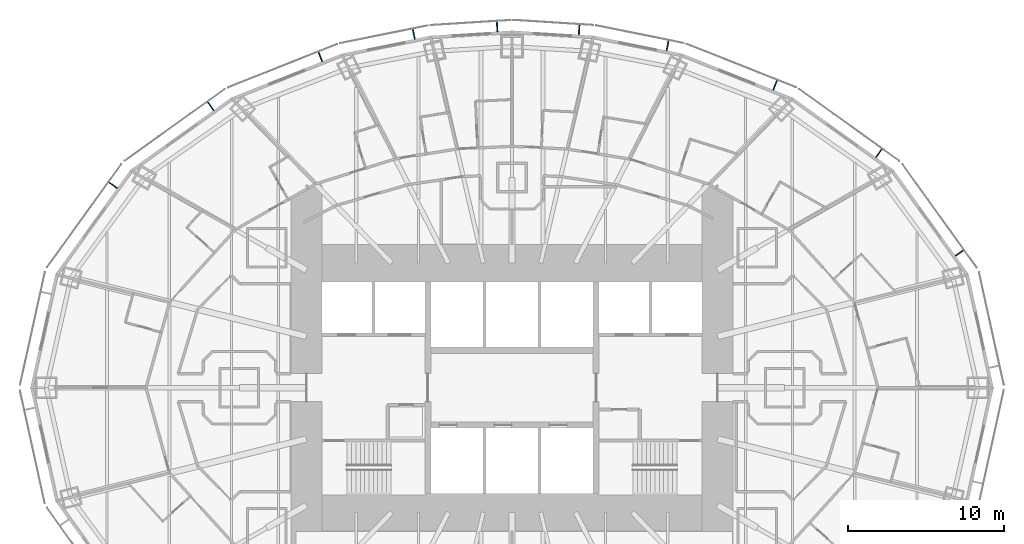
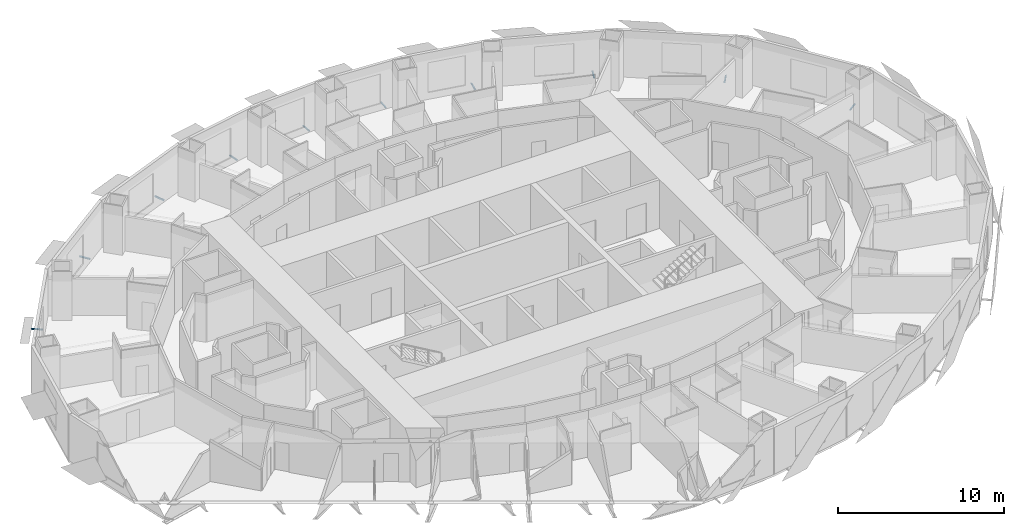
# One storey, part 13 of 17: 10 discrete accessories.
"""IFC4 building model written with IfcOpenShell, lengths in metres."""

from ifc_helpers import new_model, si_unit, direction, frame, origin, origin_2d, place, context, subcontext, project, spatial, rectangle, extrude, element, save


model = new_model("IFC4")

# Units and contexts
model_context = context("Model", 3, precision=1e-05, world=origin(), true_north=direction((0.0, 1.0)))
body_context = subcontext(model_context, "Body", "Model", "MODEL_VIEW")
ifc_project = project(units=[si_unit("LENGTHUNIT", "METRE"), si_unit("AREAUNIT", "SQUARE_METRE"), si_unit("VOLUMEUNIT", "CUBIC_METRE"), si_unit("PLANEANGLEUNIT", "RADIAN"), si_unit("MASSUNIT", "GRAM", prefix="KILO")], contexts=[model_context])

# Site, building, storey
site_placement = place(None, origin())
site = spatial("IfcSite", under=ifc_project, at=site_placement, CompositionType="ELEMENT")
building_placement = place(site_placement, origin())
building = spatial("IfcBuilding", under=site, at=building_placement, Name="Lantaw Convention Tower", CompositionType="ELEMENT")
storey_placement = place(building_placement, frame((0.0, 0.0, 40.60009765625)))
storey = spatial("IfcBuildingStorey", under=building, at=storey_placement, Name="L07", CompositionType="ELEMENT", Elevation=40.60009765625)

# Discrete accessories
for number, where, z_axis, x_axis, name in (
    (1, (28.745849609375, 8.65869140625, -0.115234375), (0.0, 0.0, 1.0), (-0.583951250436, 0.811788726895, 0.0), "Screen bracket"),
    (2, (23.564453125, 15.06640625, -0.115234375), (0.0, 0.0, 1.0), (-0.812803733199, 0.5825376308, 0.0), "Screen bracket"),
    (3, (16.898193359375, 19.4345703125, -0.115234375), (0.0, 0.0, 1.0), (-0.929361152748, 0.369171840425, 0.0), "Screen bracket"),
    (4, (9.990478515625, 21.974365234375, -0.115234375), (0.0, 0.0, 1.0), (-0.980244604501, 0.197789067813, 0.0), "Screen bracket"),
    (5, (4.310302734375, 22.987548828125, -0.115234375), (0.0, 0.0, 1.0), (-0.998016153807, 0.062958373078, 0.0), "Screen bracket"),
    (6, (-0.9560546875, 23.19921875, -0.115234375), (0.0, 0.0, 1.0), (-0.998016153807, -0.062958373078, 0.0), "Screen bracket"),
    (7, (-6.307861328125, 22.71728515625, -0.115234375), (0.0, 0.0, 1.0), (-0.980244604501, -0.197789067813, 0.0), "Screen bracket"),
    (8, (-12.309814453125, 21.25732421875, -0.115234375), (0.0, 0.0, 1.0), (-0.929361152748, -0.369171840425, 0.0), "Screen bracket"),
    (9, (-19.352294921875, 18.085205078125, -0.115234375), (0.0, 0.0, 1.0), (-0.812803733199, -0.5825376308, 0.0), "Screen bracket"),
    (10, (-25.61962890625, 13.004638671875, -0.115234375), (0.0, 0.0, 1.0), (-0.583951250436, -0.811788726895, 0.0), "Screen bracket"),
):
    element("IfcDiscreteAccessory", number, at=place(storey_placement, frame(where, z_axis=z_axis, x_axis=x_axis)), inside=storey, Name=name, PredefinedType="BRACKET", context=body_context, shape_type="SweptSolid", body=[
        extrude(rectangle(XDim=0.080078125, YDim=0.68798828125, at=origin_2d()), origin(), (0.0, 0.0, 1.0), 0.080078125),
    ])

save(model, "model.ifc")
